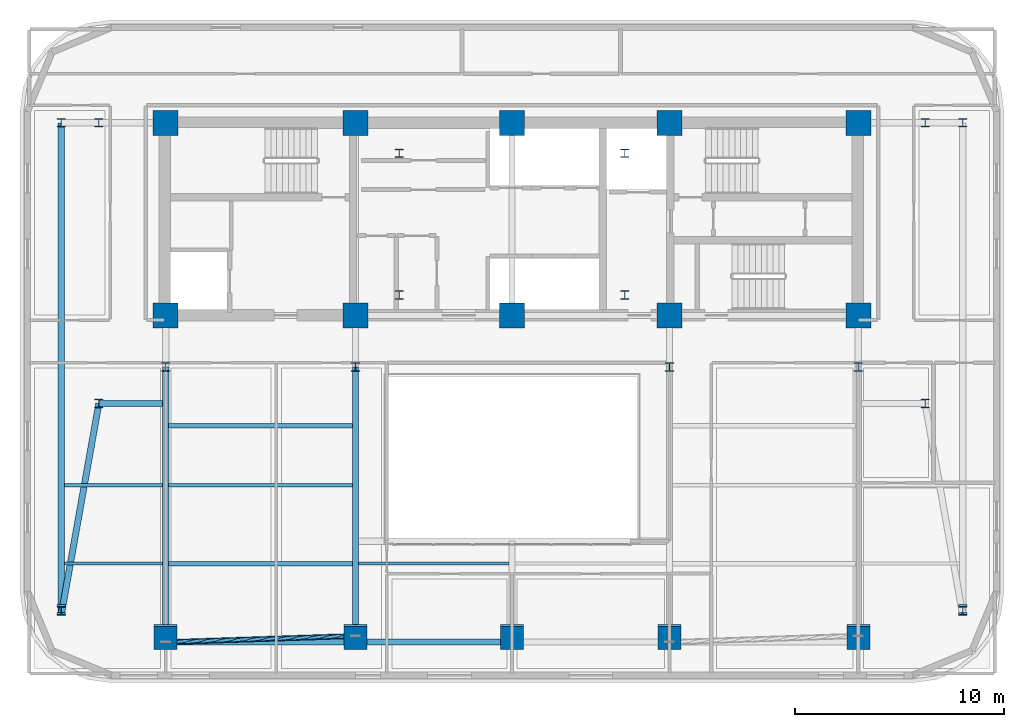
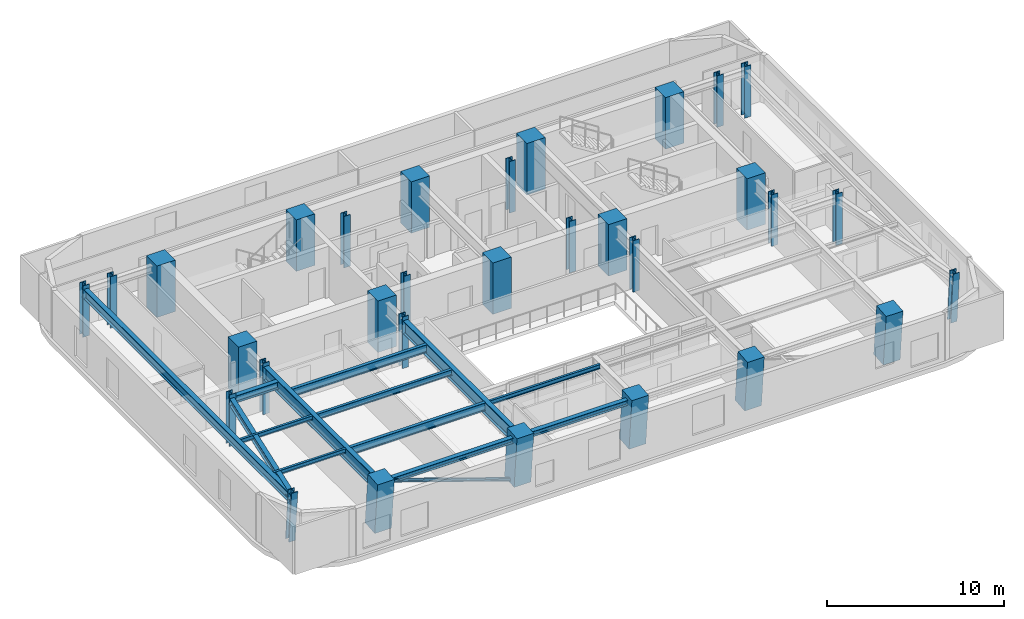
# One storey, part 1 of 11: 31 columns, 13 beams, 1 member.
"""IFC4 building model written with IfcOpenShell, lengths in metres."""

from ifc_helpers import new_model, si_unit, direction, frame, origin, origin_2d, place, context, subcontext, project, spatial, rectangle, hollow_circle, i_section, extrude, material, material_profile, profile_set, type_object, element, save


model = new_model("IFC4")

# Units and contexts
model_context = context("Model", 3, precision=1e-05, world=origin(), true_north=direction((0.0, 1.0)))
body_context = subcontext(model_context, "Body", "Model", "MODEL_VIEW")
ifc_project = project(units=[si_unit("LENGTHUNIT", "METRE"), si_unit("AREAUNIT", "SQUARE_METRE"), si_unit("VOLUMEUNIT", "CUBIC_METRE"), si_unit("PLANEANGLEUNIT", "RADIAN"), si_unit("MASSUNIT", "GRAM", prefix="KILO")], contexts=[model_context])

# Site, building, storey
site_placement = place(None, origin())
site = spatial("IfcSite", under=ifc_project, at=site_placement, CompositionType="ELEMENT")
building_placement = place(site_placement, origin())
building = spatial("IfcBuilding", under=site, at=building_placement, Name="Zarnavel Station Tower", CompositionType="ELEMENT")
storey_placement = place(building_placement, frame((0.0, 0.0, 151.89990234375)))
storey = spatial("IfcBuildingStorey", under=building, at=storey_placement, Name="L41", CompositionType="ELEMENT", Elevation=151.89990234375)

# Columns
ifc_material_1 = material(Name="Steel S355J2", Category="steel")
ifc_material_profile_1 = material_profile(ifc_material_1, i_section(OverallWidth=0.4130859375, OverallDepth=0.4150390625, WebThickness=0.030029296875, FlangeThickness=0.047119140625, FilletRadius=0.014892578125, at=origin_2d()), Name="HD400x347")
ifc_profile_set_1 = profile_set([ifc_material_profile_1], Name="Steel S355J2")
column_type_1 = type_object("IfcColumnType", Name="EC_HD347", PredefinedType="COLUMN", material=ifc_profile_set_1)
column_1_placement = place(storey_placement, frame((7.199951171875, 13.749755859375, 0.0), z_axis=(0.0, -0.079930493943, 0.996800439475), x_axis=(1.0, 0.0, 0.0)))
element("IfcColumn", 1, at=column_1_placement, inside=storey, type_object=column_type_1, Name="L41 Raked Wing Column 1", PredefinedType="COLUMN", context=body_context, shape_type="SweptSolid", body=[
    extrude(i_section(OverallWidth=0.4130859375, OverallDepth=0.4150390625, WebThickness=0.030029296875, FlangeThickness=0.047119140625, FilletRadius=0.014892578125, at=origin_2d()), origin(), (0.0, 0.0, 1.0), 3.5615234375),
])
column_2_placement = place(storey_placement, frame((7.199951171875, 37.050048828125, 0.0), z_axis=(0.0, 0.0, 1.0), x_axis=(1.0, 0.0, 0.0)))
element("IfcColumn", 2, at=column_2_placement, inside=storey, type_object=column_type_1, Name="L41 Outer Wing North Column 1", PredefinedType="COLUMN", context=body_context, shape_type="SweptSolid", body=[
    extrude(i_section(OverallWidth=0.4130859375, OverallDepth=0.4150390625, WebThickness=0.030029296875, FlangeThickness=0.047119140625, FilletRadius=0.014892578125, at=origin_2d()), origin(), (0.0, 0.0, 1.0), 3.550048828125),
])
column_3_placement = place(storey_placement, frame((50.39990234375, 13.749755859375, 0.0), z_axis=(0.0, -0.079930493943, 0.996800439475), x_axis=(1.0, 0.0, 0.0)))
element("IfcColumn", 3, at=column_3_placement, inside=storey, type_object=column_type_1, Name="L41 Raked Wing Column 2", PredefinedType="COLUMN", context=body_context, shape_type="SweptSolid", body=[
    extrude(i_section(OverallWidth=0.4130859375, OverallDepth=0.4150390625, WebThickness=0.030029296875, FlangeThickness=0.047119140625, FilletRadius=0.014892578125, at=origin_2d()), origin(), (0.0, 0.0, 1.0), 3.5615234375),
])
column_4_placement = place(storey_placement, frame((50.39990234375, 37.050048828125, 0.0), z_axis=(0.0, 0.0, 1.0), x_axis=(1.0, 0.0, 0.0)))
element("IfcColumn", 4, at=column_4_placement, inside=storey, type_object=column_type_1, Name="L41 Outer Wing North Column 2", PredefinedType="COLUMN", context=body_context, shape_type="SweptSolid", body=[
    extrude(i_section(OverallWidth=0.4130859375, OverallDepth=0.4150390625, WebThickness=0.030029296875, FlangeThickness=0.047119140625, FilletRadius=0.014892578125, at=origin_2d()), origin(), (0.0, 0.0, 1.0), 3.550048828125),
])
ifc_material_2 = material(Name="Steel S355J2", Category="steel")
ifc_material_profile_2 = material_profile(ifc_material_2, i_section(OverallWidth=0.4130859375, OverallDepth=0.4150390625, WebThickness=0.030029296875, FlangeThickness=0.047119140625, FilletRadius=0.014892578125, at=origin_2d()), Name="HD400x347")
ifc_profile_set_2 = profile_set([ifc_material_profile_2], Name="Steel S355J2")
column_type_2 = type_object("IfcColumnType", Name="IC_HD347", PredefinedType="COLUMN", material=ifc_profile_set_2)
for number, where, z_axis, x_axis, name in (
    (5, (23.39990234375, 28.800048828125, 0.0), (0.0, 0.0, 1.0), (1.0, 0.0, 0.0), "L41 Mast Spine Column 1"),
    (6, (34.199951171875, 28.800048828125, 0.0), (0.0, 0.0, 1.0), (1.0, 0.0, 0.0), "L41 Mast Spine Column 2"),
    (7, (34.199951171875, 35.60009765625, 0.0), (0.0, 0.0, 1.0), (1.0, 0.0, 0.0), "L41 Mast Spine Column 3"),
    (8, (23.39990234375, 35.60009765625, 0.0), (0.0, 0.0, 1.0), (1.0, 0.0, 0.0), "L41 Mast Spine Column 4"),
    (9, (12.199951171875, 25.35009765625, 0.0), (0.0, 0.0, 1.0), (1.0, 0.0, 0.0), "L41 Inner Spine Column 1"),
    (10, (21.300048828125, 25.35009765625, 0.0), (0.0, 0.0, 1.0), (1.0, 0.0, 0.0), "L41 Inner Spine Column 2"),
    (11, (36.35009765625, 25.35009765625, 0.0), (0.0, 0.0, 1.0), (1.0, 0.0, 0.0), "L41 Inner Spine Column 4"),
    (12, (45.39990234375, 25.35009765625, 0.0), (0.0, 0.0, 1.0), (1.0, 0.0, 0.0), "L41 Inner Spine Column 5"),
    (13, (9.0, 23.60009765625, 0.0), (0.0, 0.0, 1.0), (1.0, 0.0, 0.0), "L41 Inner Wing Spine Column 1-1"),
    (14, (9.0, 37.050048828125, 0.0), (0.0, 0.0, 1.0), (1.0, 0.0, 0.0), "L41 Inner Wing Spine Column 1-2"),
    (15, (48.60009765625, 23.60009765625, 0.0), (0.0, 0.0, 1.0), (1.0, 0.0, 0.0), "L41 Inner Wing Spine Column 2-1"),
    (16, (48.60009765625, 37.050048828125, 0.0), (0.0, 0.0, 1.0), (1.0, 0.0, 0.0), "L41 Inner Wing Spine Column 2-2"),
):
    element("IfcColumn", number, at=place(storey_placement, frame(where, z_axis=z_axis, x_axis=x_axis)), inside=storey, type_object=column_type_2, Name=name, PredefinedType="COLUMN", context=body_context, shape_type="SweptSolid", body=[
        extrude(i_section(OverallWidth=0.4130859375, OverallDepth=0.4150390625, WebThickness=0.030029296875, FlangeThickness=0.047119140625, FilletRadius=0.014892578125, at=origin_2d()), origin(), (0.0, 0.0, 1.0), 3.550048828125),
    ])
ifc_material_3 = material(Name="Concrete C50/60", Category="concrete")
ifc_material_profile_3 = material_profile(ifc_material_3, rectangle(XDim=1.199951171875, YDim=1.199951171875, at=origin_2d()), Name="RC1200x1200")
ifc_profile_set_3 = profile_set([ifc_material_profile_3], Name="Concrete C50/60")
column_type_3 = type_object("IfcColumnType", Name="IC_RC1200", PredefinedType="COLUMN", material=ifc_profile_set_3)
for number, where, z_axis, x_axis, name in (
    (17, (12.199951171875, 27.820068359375, 0.0), (0.0, 0.0, 1.0), (1.0, 0.0, 0.0), "L41 Core Spine Column 1-1"),
    (18, (12.199951171875, 37.050048828125, 0.0), (0.0, 0.0, 1.0), (1.0, 0.0, 0.0), "L41 Core Spine Column 1-2"),
    (19, (21.300048828125, 27.820068359375, 0.0), (0.0, 0.0, 1.0), (1.0, 0.0, 0.0), "L41 Core Spine Column 2-1"),
    (20, (21.300048828125, 37.050048828125, 0.0), (0.0, 0.0, 1.0), (1.0, 0.0, 0.0), "L41 Core Spine Column 2-2"),
    (21, (28.800048828125, 27.820068359375, 0.0), (0.0, 0.0, 1.0), (1.0, 0.0, 0.0), "L41 Core Spine Column 3-1"),
    (22, (28.800048828125, 37.050048828125, 0.0), (0.0, 0.0, 1.0), (1.0, 0.0, 0.0), "L41 Core Spine Column 3-2"),
    (23, (36.35009765625, 27.820068359375, 0.0), (0.0, 0.0, 1.0), (1.0, 0.0, 0.0), "L41 Core Spine Column 4-1"),
    (24, (36.35009765625, 37.050048828125, 0.0), (0.0, 0.0, 1.0), (1.0, 0.0, 0.0), "L41 Core Spine Column 4-2"),
    (25, (45.39990234375, 27.820068359375, 0.0), (0.0, 0.0, 1.0), (1.0, 0.0, 0.0), "L41 Core Spine Column 5-1"),
    (26, (45.39990234375, 37.050048828125, 0.0), (0.0, 0.0, 1.0), (1.0, 0.0, 0.0), "L41 Core Spine Column 5-2"),
):
    element("IfcColumn", number, at=place(storey_placement, frame(where, z_axis=z_axis, x_axis=x_axis)), inside=storey, type_object=column_type_3, Name=name, PredefinedType="COLUMN", context=body_context, shape_type="SweptSolid", body=[
        extrude(rectangle(XDim=1.199951171875, YDim=1.199951171875, at=origin_2d()), origin(), (0.0, 0.0, 1.0), 3.550048828125),
    ])
ifc_material_4 = material(Name="Concrete C50/60", Category="concrete")
ifc_material_profile_4 = material_profile(ifc_material_4, rectangle(XDim=1.10009765625, YDim=1.10009765625, at=origin_2d()), Name="RC1100x1100")
ifc_profile_set_4 = profile_set([ifc_material_profile_4], Name="Concrete C50/60")
column_type_4 = type_object("IfcColumnType", Name="MC_RC1100", PredefinedType="COLUMN", material=ifc_profile_set_4)
for number, where, z_axis, x_axis, name in (
    (27, (12.199951171875, 12.462890625, 0.0), (0.0, -0.0902702026, 0.995917311087), (1.0, 0.0, 0.0), "L41 Raked South Mega-Column 1"),
    (28, (21.300048828125, 12.462890625, 0.0), (0.0, -0.0902702026, 0.995917311087), (1.0, 0.0, 0.0), "L41 Raked South Mega-Column 2"),
    (29, (28.800048828125, 12.462890625, 0.0), (0.0, -0.0902702026, 0.995917311087), (1.0, 0.0, 0.0), "L41 Raked South Mega-Column 3"),
    (30, (36.35009765625, 12.462890625, 0.0), (0.0, -0.0902702026, 0.995917311087), (1.0, 0.0, 0.0), "L41 Raked South Mega-Column 4"),
    (31, (45.39990234375, 12.462890625, 0.0), (0.0, -0.0902702026, 0.995917311087), (1.0, 0.0, 0.0), "L41 Raked South Mega-Column 5"),
):
    element("IfcColumn", number, at=place(storey_placement, frame(where, z_axis=z_axis, x_axis=x_axis)), inside=storey, type_object=column_type_4, Name=name, PredefinedType="COLUMN", context=body_context, shape_type="SweptSolid", body=[
        extrude(rectangle(XDim=1.10009765625, YDim=1.10009765625, at=origin_2d()), origin(), (0.0, 0.0, 1.0), 3.564697265625),
    ])

# Member
ifc_material_5 = material(Name="Steel S355J2", Category="steel")
ifc_material_profile_5 = material_profile(ifc_material_5, hollow_circle(Radius=0.122314453125, WallThickness=0.010009765625, at=origin_2d()), Name="CHS244.5x10")
ifc_profile_set_5 = profile_set([ifc_material_profile_5], Name="Steel S355J2")
member_type = type_object("IfcMemberType", Name="DB_EXT_CHS245", PredefinedType="BRACE", material=ifc_profile_set_5)
member_placement = place(storey_placement, frame((21.300048828125, 12.462890625, 0.0), z_axis=(-0.93997940641, -0.030791298364, 0.339839096442), x_axis=(0.032739857023, -0.999463907183, 0.0)))
element("IfcMember", 32, at=member_placement, inside=storey, type_object=member_type, Name="L41 Persian Exterior Diagonal Frame Brace 1", PredefinedType="BRACE", context=body_context, shape_type="SweptSolid", body=[
    extrude(hollow_circle(Radius=0.122314453125, WallThickness=0.010009765625, at=origin_2d()), origin(), (0.0, 0.0, 1.0), 9.68115234375),
])

# Beams
ifc_material_6 = material(Name="Steel S355J2", Category="steel")
ifc_material_profile_6 = material_profile(ifc_material_6, i_section(OverallWidth=0.300048828125, OverallDepth=0.360107421875, WebThickness=0.012451171875, FlangeThickness=0.0224609375, FilletRadius=0.027099609375, at=origin_2d()), Name="HEB360")
ifc_profile_set_6 = profile_set([ifc_material_profile_6], Name="Steel S355J2")
beam_type_1 = type_object("IfcBeamType", Name="EB_HEB360", PredefinedType="SPANDREL", material=ifc_profile_set_6)
beam_1_placement = place(storey_placement, frame((12.199951171875, 12.164794921875, 3.110107421875), z_axis=(1.0, 0.0, 0.0), x_axis=(0.0, 1.0, 0.0)))
element("IfcBeam", 33, at=beam_1_placement, inside=storey, type_object=beam_type_1, Name="L41 South Raked Spandrel 1", PredefinedType="SPANDREL", context=body_context, shape_type="SweptSolid", body=[
    extrude(i_section(OverallWidth=0.300048828125, OverallDepth=0.360107421875, WebThickness=0.012451171875, FlangeThickness=0.0224609375, FilletRadius=0.027099609375, at=origin_2d()), origin(), (0.0, 0.0, 1.0), 9.10009765625),
])
beam_2_placement = place(storey_placement, frame((21.300048828125, 12.164794921875, 3.110107421875), z_axis=(1.0, 0.0, 0.0), x_axis=(0.0, 1.0, 0.0)))
element("IfcBeam", 34, at=beam_2_placement, inside=storey, type_object=beam_type_1, Name="L41 South Raked Spandrel 2", PredefinedType="SPANDREL", context=body_context, shape_type="SweptSolid", body=[
    extrude(i_section(OverallWidth=0.300048828125, OverallDepth=0.360107421875, WebThickness=0.012451171875, FlangeThickness=0.0224609375, FilletRadius=0.027099609375, at=origin_2d()), origin(), (0.0, 0.0, 1.0), 7.5),
])
ifc_material_7 = material(Name="Steel S355J2", Category="steel")
ifc_material_profile_7 = material_profile(ifc_material_7, i_section(OverallWidth=0.179931640625, OverallDepth=0.39990234375, WebThickness=0.008544921875, FlangeThickness=0.013427734375, FilletRadius=0.02099609375, at=origin_2d()), Name="IPE400")
ifc_profile_set_7 = profile_set([ifc_material_profile_7], Name="Steel S355J2")
beam_type_2 = type_object("IfcBeamType", Name="FB_IPE400", PredefinedType="BEAM", material=ifc_profile_set_7)
beam_3_placement = place(storey_placement, frame((12.344970703125, 19.682373046875, 3.090087890625), z_axis=(1.0, 0.0, 0.0), x_axis=(0.0, 1.0, 0.0)))
element("IfcBeam", 35, at=beam_3_placement, inside=storey, type_object=beam_type_2, Name="L41 West Bay Beam 2", PredefinedType="BEAM", context=body_context, shape_type="SweptSolid", body=[
    extrude(i_section(OverallWidth=0.179931640625, OverallDepth=0.39990234375, WebThickness=0.008544921875, FlangeThickness=0.013427734375, FilletRadius=0.02099609375, at=origin_2d()), origin(), (0.0, 0.0, 1.0), 8.81005859375),
])
ifc_material_8 = material(Name="Steel S355J2", Category="steel")
ifc_material_profile_8 = material_profile(ifc_material_8, i_section(OverallWidth=0.2099609375, OverallDepth=0.550048828125, WebThickness=0.010986328125, FlangeThickness=0.01708984375, FilletRadius=0.02392578125, at=origin_2d()), Name="IPE550")
ifc_profile_set_8 = profile_set([ifc_material_profile_8], Name="Steel S355J2")
beam_type_3 = type_object("IfcBeamType", Name="FB_IPE550", PredefinedType="BEAM", material=ifc_profile_set_8)
for number, where, z_axis, x_axis, name in (
    (36, (12.344970703125, 15.923583984375, 3.01513671875), (1.0, 0.0, 0.0), (0.0, 1.0, 0.0), "L41 West Bay Beam 1"),
    (37, (12.344970703125, 22.541259765625, 3.01513671875), (1.0, 0.0, 0.0), (0.0, 1.0, 0.0), "L41 West Bay Beam 3"),
):
    element("IfcBeam", number, at=place(storey_placement, frame(where, z_axis=z_axis, x_axis=x_axis)), inside=storey, type_object=beam_type_3, Name=name, PredefinedType="BEAM", context=body_context, shape_type="SweptSolid", body=[
        extrude(i_section(OverallWidth=0.2099609375, OverallDepth=0.550048828125, WebThickness=0.010986328125, FlangeThickness=0.01708984375, FilletRadius=0.02392578125, at=origin_2d()), origin(), (0.0, 0.0, 1.0), 8.81005859375),
    ])
ifc_material_9 = material(Name="Steel S355J2", Category="steel")
ifc_material_profile_9 = material_profile(ifc_material_9, i_section(OverallWidth=0.300048828125, OverallDepth=0.5, WebThickness=0.014404296875, FlangeThickness=0.028076171875, FilletRadius=0.027099609375, at=origin_2d()), Name="HEB500")
ifc_profile_set_9 = profile_set([ifc_material_profile_9], Name="Steel S355J2")
beam_type_4 = type_object("IfcBeamType", Name="FG_HEB500", PredefinedType="USERDEFINED", material=ifc_profile_set_9)
beam_4_placement = place(storey_placement, frame((7.199951171875, 13.486083984375, 3.0400390625), z_axis=(0.175222237354, 0.9845289064, 0.0), x_axis=(-0.9845289064, 0.175222237354, 0.0)))
element("IfcBeam", 38, at=beam_4_placement, inside=storey, type_object=beam_type_4, Name="L41 West Wing South Tie 1", ObjectType="GIRDER", PredefinedType="USERDEFINED", context=body_context, shape_type="SweptSolid", body=[
    extrude(i_section(OverallWidth=0.300048828125, OverallDepth=0.5, WebThickness=0.014404296875, FlangeThickness=0.028076171875, FilletRadius=0.027099609375, at=origin_2d()), origin(), (0.0, 0.0, 1.0), 10.27294921875),
])
beam_5_placement = place(storey_placement, frame((9.0, 23.60009765625, 3.0400390625), z_axis=(1.0, 0.0, 0.0), x_axis=(0.0, 1.0, 0.0)))
element("IfcBeam", 39, at=beam_5_placement, inside=storey, type_object=beam_type_4, Name="L41 West Wing South Tie 2", ObjectType="GIRDER", PredefinedType="USERDEFINED", context=body_context, shape_type="SweptSolid", body=[
    extrude(i_section(OverallWidth=0.300048828125, OverallDepth=0.5, WebThickness=0.014404296875, FlangeThickness=0.028076171875, FilletRadius=0.027099609375, at=origin_2d()), origin(), (0.0, 0.0, 1.0), 3.054931640625),
])
ifc_material_10 = material(Name="Steel S355J2", Category="steel")
ifc_material_profile_10 = material_profile(ifc_material_10, i_section(OverallWidth=0.300048828125, OverallDepth=0.64990234375, WebThickness=0.01611328125, FlangeThickness=0.031005859375, FilletRadius=0.027099609375, at=origin_2d()), Name="HEB650")
ifc_profile_set_10 = profile_set([ifc_material_profile_10], Name="Steel S355J2")
beam_type_5 = type_object("IfcBeamType", Name="FG_HEB650", PredefinedType="USERDEFINED", material=ifc_profile_set_10)
beam_6_placement = place(storey_placement, frame((7.199951171875, 13.486083984375, 2.965087890625), z_axis=(0.0, 1.0, 0.0), x_axis=(-1.0, 0.0, 0.0)))
element("IfcBeam", 40, at=beam_6_placement, inside=storey, type_object=beam_type_5, Name="L41 Wing NS Girder 1", ObjectType="GIRDER", PredefinedType="USERDEFINED", context=body_context, shape_type="SweptSolid", body=[
    extrude(i_section(OverallWidth=0.300048828125, OverallDepth=0.64990234375, WebThickness=0.01611328125, FlangeThickness=0.031005859375, FilletRadius=0.027099609375, at=origin_2d()), origin(), (0.0, 0.0, 1.0), 23.56396484375),
])
ifc_material_11 = material(Name="Steel S355J2", Category="steel")
ifc_material_profile_11 = material_profile(ifc_material_11, i_section(OverallWidth=0.14990234375, OverallDepth=0.300048828125, WebThickness=0.007080078125, FlangeThickness=0.0107421875, FilletRadius=0.014892578125, at=origin_2d()), Name="IPE300")
ifc_profile_set_11 = profile_set([ifc_material_profile_11], Name="Steel S355J2")
beam_type_6 = type_object("IfcBeamType", Name="FJ_IPE300", PredefinedType="JOIST", material=ifc_profile_set_11)
beam_7_placement = place(storey_placement, frame((21.445068359375, 15.923583984375, 3.14013671875), z_axis=(1.0, 0.0, 0.0), x_axis=(0.0, 1.0, 0.0)))
element("IfcBeam", 41, at=beam_7_placement, inside=storey, type_object=beam_type_6, Name="L41 Mid-West Joist 1", PredefinedType="JOIST", context=body_context, shape_type="SweptSolid", body=[
    extrude(i_section(OverallWidth=0.14990234375, OverallDepth=0.300048828125, WebThickness=0.007080078125, FlangeThickness=0.0107421875, FilletRadius=0.014892578125, at=origin_2d()), origin(), (0.0, 0.0, 1.0), 7.2099609375),
])
for number, where, z_axis, x_axis, name in (
    (42, (7.344970703125, 15.923583984375, 3.14013671875), (1.0, 0.0, 0.0), (0.0, 1.0, 0.0), "L41 West Wing Joist 1"),
    (43, (7.344970703125, 19.682373046875, 3.14013671875), (1.0, 0.0, 0.0), (0.0, 1.0, 0.0), "L41 West Wing Joist 2"),
):
    element("IfcBeam", number, at=place(storey_placement, frame(where, z_axis=z_axis, x_axis=x_axis)), inside=storey, type_object=beam_type_6, Name=name, PredefinedType="JOIST", context=body_context, shape_type="SweptSolid", body=[
        extrude(i_section(OverallWidth=0.14990234375, OverallDepth=0.300048828125, WebThickness=0.007080078125, FlangeThickness=0.0107421875, FilletRadius=0.014892578125, at=origin_2d()), origin(), (0.0, 0.0, 1.0), 4.7099609375),
    ])
ifc_material_12 = material(Name="Steel S460M", Category="steel")
ifc_material_profile_12 = material_profile(ifc_material_12, i_section(OverallWidth=0.302001953125, OverallDepth=0.909912109375, WebThickness=0.02099609375, FlangeThickness=0.0400390625, FilletRadius=0.030029296875, at=origin_2d()), Name="HEM900")
ifc_profile_set_12 = profile_set([ifc_material_profile_12], Name="Steel S460M")
beam_type_7 = type_object("IfcBeamType", Name="TG_HEM900", PredefinedType="USERDEFINED", material=ifc_profile_set_12)
for number, where, z_axis, x_axis, name in (
    (44, (12.199951171875, 12.164794921875, 2.835205078125), (0.0, 1.0, 0.0), (-1.0, 0.0, 0.0), "L41 South-Zone NS Girder 1"),
    (45, (21.300048828125, 12.164794921875, 2.835205078125), (0.0, 1.0, 0.0), (-1.0, 0.0, 0.0), "L41 South-Zone NS Girder 2"),
):
    element("IfcBeam", number, at=place(storey_placement, frame(where, z_axis=z_axis, x_axis=x_axis)), inside=storey, type_object=beam_type_7, Name=name, ObjectType="GIRDER", PredefinedType="USERDEFINED", context=body_context, shape_type="SweptSolid", body=[
        extrude(i_section(OverallWidth=0.302001953125, OverallDepth=0.909912109375, WebThickness=0.02099609375, FlangeThickness=0.0400390625, FilletRadius=0.030029296875, at=origin_2d()), origin(), (0.0, 0.0, 1.0), 13.185302734375),
    ])

save(model, "model.ifc")
